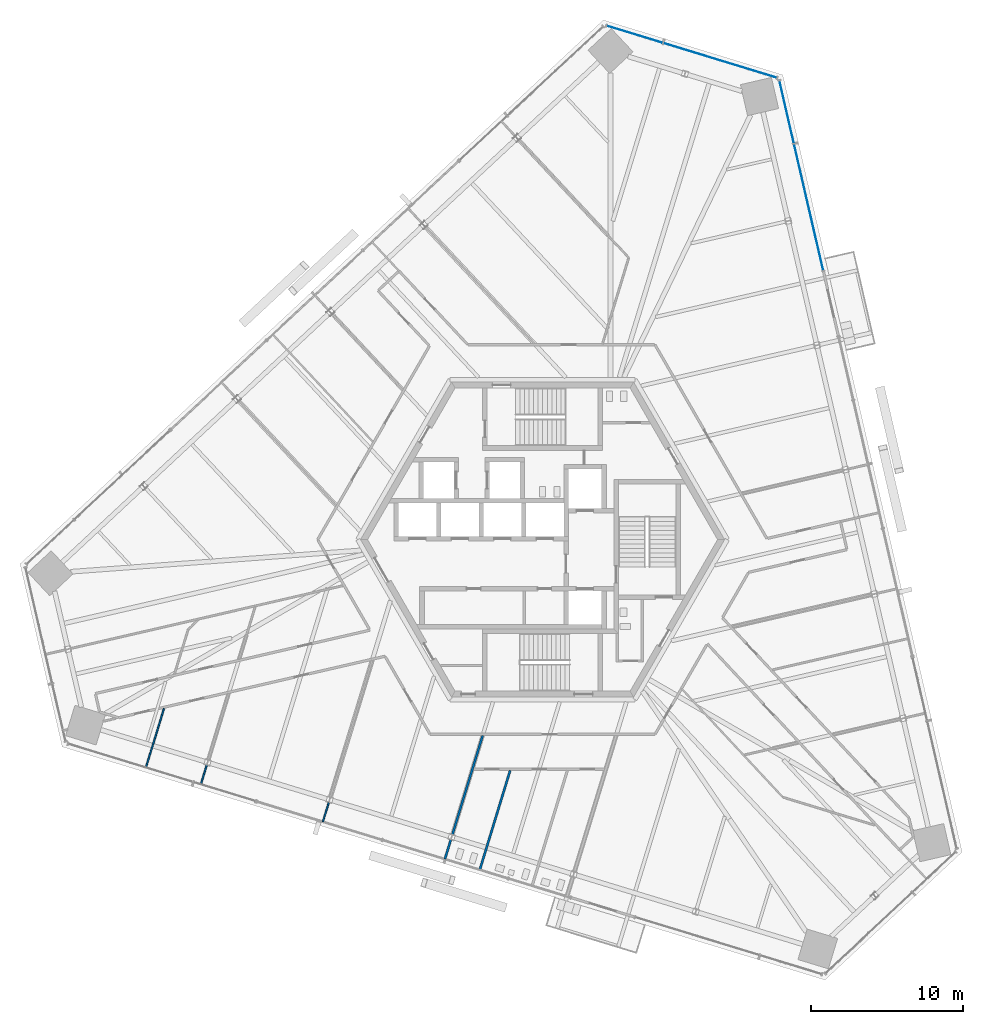
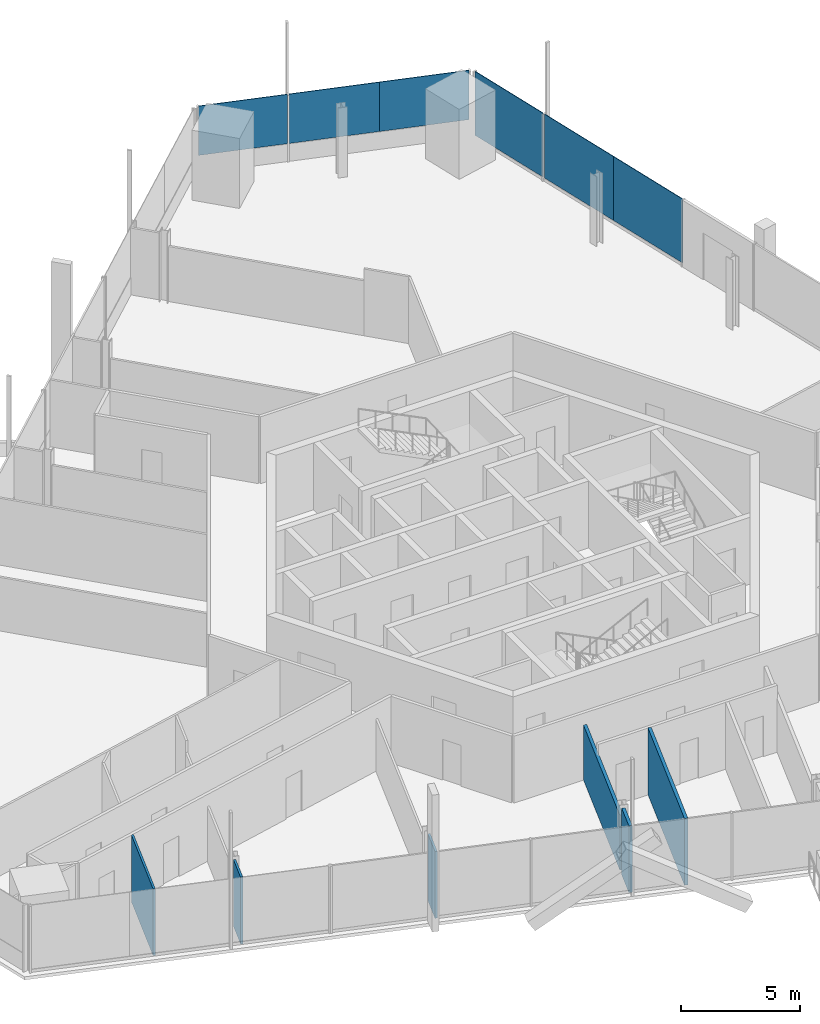
# One storey, part 12 of 24: 6 plates, 6 walls, 2 elements without a shape of their own.
"""IFC4 building model written with IfcOpenShell, lengths in metres."""

from ifc_helpers import new_model, si_unit, direction, frame, frame_2d, origin, origin_2d, place, context, subcontext, project, spatial, rectangle, extrude, source, transform, mapped, material, layer, layer_set, type_object, element, aggregate, save


model = new_model("IFC4")

# Units and contexts
model_context = context("Model", 3, precision=1e-05, world=origin(), true_north=direction((0.0, 1.0)))
body_context = subcontext(model_context, "Body", "Model", "MODEL_VIEW")
ifc_project = project(units=[si_unit("LENGTHUNIT", "METRE"), si_unit("AREAUNIT", "SQUARE_METRE"), si_unit("VOLUMEUNIT", "CUBIC_METRE"), si_unit("PLANEANGLEUNIT", "RADIAN"), si_unit("MASSUNIT", "GRAM", prefix="KILO")], contexts=[model_context])

# Site, building, storey
site_placement = place(None, origin())
site = spatial("IfcSite", under=ifc_project, at=site_placement, CompositionType="ELEMENT")
building_placement = place(site_placement, origin())
building = spatial("IfcBuilding", under=site, at=building_placement, Name="Triune Harvest Tower", CompositionType="ELEMENT")
storey_placement = place(building_placement, frame((0.0, 0.0, 112.699951171875)))
storey = spatial("IfcBuildingStorey", under=building, at=storey_placement, Name="L28", CompositionType="ELEMENT", Elevation=112.699951171875)

# Curtain wall, plates
ifc_material_1 = material(Name="Aluminium bronze anodised", Category="aluminium")
curtain_wall_type_1 = type_object("IfcCurtainWallType", Name="CW-1 Tower stick curtain wall", PredefinedType="NOTDEFINED", material=ifc_material_1)
curtain_wall_1_placement = place(storey_placement, origin())
curtain_wall_1 = element("IfcCurtainWall", 1, at=curtain_wall_1_placement, inside=storey, type_object=curtain_wall_type_1, Name="CW-1 B3-F2 L28 run 1")
ifc_material_2 = material(Name="Glass", Category="glass")
ifc_layer_1 = layer(ifc_material_2, 0.031982421875)
ifc_layer_set_1 = layer_set([ifc_layer_1], Name="Glass")
plate_type_1 = type_object("IfcPlateType", Name="GL-1 panel 32", PredefinedType="CURTAIN_PANEL", material=ifc_layer_set_1)
shared_shape_1 = source(origin(), body_context, "Body", "SweptSolid", [
    extrude(rectangle(XDim=3.8740234375, YDim=0.031982421875, at=origin_2d()), origin(), (0.0, 0.0, 1.0), 2.5400390625),
])
plate_1_placement = place(storey_placement, frame((13.573974609375, 31.01953125, 0.900146484375), z_axis=(0.0, 0.0, 1.0), x_axis=(-0.956303148607, 0.292376962095, 0.0)))
plate_1 = element("IfcPlate", 2, at=plate_1_placement, type_object=plate_type_1, Name="CW-1 panel B3-F2 1.1", PredefinedType="CURTAIN_PANEL", context=body_context, shape_type="MappedRepresentation", body=[
    mapped(shared_shape_1, transform((0.0, 0.0, 0.0), scale=1.0)),
])
shared_shape_2 = source(origin(), body_context, "Body", "SweptSolid", [
    extrude(rectangle(XDim=3.911376953125, YDim=0.031982421875, at=origin_2d()), origin(), (0.0, 0.0, 1.0), 2.5400390625),
])
plate_2_placement = place(storey_placement, frame((9.851318359375, 32.15771484375, 0.900146484375), z_axis=(0.0, 0.0, 1.0), x_axis=(-0.956303148607, 0.292376962095, 0.0)))
plate_2 = element("IfcPlate", 3, at=plate_2_placement, type_object=plate_type_1, Name="CW-1 panel B3-F2 1.2", PredefinedType="CURTAIN_PANEL", context=body_context, shape_type="MappedRepresentation", body=[
    mapped(shared_shape_2, transform((0.0, 0.0, 0.0), scale=1.0)),
])
shared_shape_3 = source(origin(), body_context, "Body", "SweptSolid", [
    extrude(rectangle(XDim=3.83642578125, YDim=0.031982421875, at=origin_2d()), origin(), (0.0, 0.0, 1.0), 2.5400390625),
])
plate_3_placement = place(storey_placement, frame((6.07470703125, 33.312255859375, 0.900146484375), z_axis=(0.0, 0.0, 1.0), x_axis=(-0.956303148607, 0.292376962095, 0.0)))
plate_3 = element("IfcPlate", 4, at=plate_3_placement, type_object=plate_type_1, Name="CW-1 panel B3-F2 1.3", PredefinedType="CURTAIN_PANEL", context=body_context, shape_type="MappedRepresentation", body=[
    mapped(shared_shape_3, transform((0.0, 0.0, 0.0), scale=1.0)),
])
aggregate(curtain_wall_1, [plate_1, plate_2, plate_3])

ifc_material_3 = material(Name="Aluminium bronze anodised", Category="aluminium")
curtain_wall_type_2 = type_object("IfcCurtainWallType", Name="CW-6 Balcony window wall", PredefinedType="NOTDEFINED", material=ifc_material_3)
curtain_wall_2_placement = place(storey_placement, origin())
curtain_wall_2 = element("IfcCurtainWall", 5, at=curtain_wall_2_placement, inside=storey, type_object=curtain_wall_type_2, Name="CW-6 B3-F1 L28 run 2")
ifc_material_4 = material(Name="Glass", Category="glass")
ifc_layer_2 = layer(ifc_material_4, 0.030029296875)
ifc_layer_set_2 = layer_set([ifc_layer_2], Name="Glass")
plate_type_2 = type_object("IfcPlateType", Name="GL-6 panel 30", PredefinedType="CURTAIN_PANEL", material=ifc_layer_set_2)
shared_shape_4 = source(origin(), body_context, "Body", "SweptSolid", [
    extrude(rectangle(XDim=4.248291015625, YDim=0.030029296875, at=origin_2d()), origin(), (0.0, 0.0, 1.0), 3.2900390625),
])
plate_4_placement = place(storey_placement, frame((18.027099609375, 19.822509765625, 0.150146484375), z_axis=(0.0, 0.0, 1.0), x_axis=(-0.22495121687, 0.974370027263, 0.0)))
plate_4 = element("IfcPlate", 6, at=plate_4_placement, type_object=plate_type_2, Name="CW-6 panel B3-F1 2.1", PredefinedType="CURTAIN_PANEL", context=body_context, shape_type="MappedRepresentation", body=[
    mapped(shared_shape_4, transform((0.0, 0.0, 0.0), scale=1.0)),
])
shared_shape_5 = source(origin(), body_context, "Body", "SweptSolid", [
    extrude(rectangle(XDim=4.285888671875, YDim=0.030029296875, at=origin_2d()), origin(), (0.0, 0.0, 1.0), 3.2900390625),
])
plate_5_placement = place(storey_placement, frame((17.0673828125, 23.980224609375, 0.150146484375), z_axis=(0.0, 0.0, 1.0), x_axis=(-0.22495121687, 0.974370027263, 0.0)))
plate_5 = element("IfcPlate", 7, at=plate_5_placement, type_object=plate_type_2, Name="CW-6 panel B3-F1 2.2", PredefinedType="CURTAIN_PANEL", context=body_context, shape_type="MappedRepresentation", body=[
    mapped(shared_shape_5, transform((0.0, 0.0, 0.0), scale=1.0)),
])
shared_shape_6 = source(origin(), body_context, "Body", "SweptSolid", [
    extrude(rectangle(XDim=4.2109375, YDim=0.030029296875, at=origin_2d()), origin(), (0.0, 0.0, 1.0), 3.2900390625),
])
plate_6_placement = place(storey_placement, frame((16.0947265625, 28.19287109375, 0.150146484375), z_axis=(0.0, 0.0, 1.0), x_axis=(-0.22495121687, 0.974370027263, 0.0)))
plate_6 = element("IfcPlate", 8, at=plate_6_placement, type_object=plate_type_2, Name="CW-6 panel B3-F1 2.3", PredefinedType="CURTAIN_PANEL", context=body_context, shape_type="MappedRepresentation", body=[
    mapped(shared_shape_6, transform((0.0, 0.0, 0.0), scale=1.0)),
])
aggregate(curtain_wall_2, [plate_4, plate_5, plate_6])

# Walls
ifc_material_5 = material(Name="Gypsum board on steel studs", Category="steel")
ifc_layer_3 = layer(ifc_material_5, 0.14990234375)
ifc_layer_set_3 = layer_set([ifc_layer_3], Name="Gypsum board on steel studs")
wall_type_1 = type_object("IfcWallType", Name="Fire Partition 150 mm", PredefinedType="PARTITIONING", material=ifc_layer_set_3)
wall_1_placement = place(storey_placement, frame((-5.9423828125, -19.43701171875, 0.0), z_axis=(0.0, 0.0, 1.0), x_axis=(0.292348661629, 0.95631180064, 0.0)))
element("IfcWall", 9, at=wall_1_placement, inside=storey, type_object=wall_type_1, Name="Partition L28 056", PredefinedType="PARTITIONING", context=body_context, shape_type="SweptSolid", body=[
    extrude(rectangle(XDim=6.816162109375, YDim=0.14990234375, at=frame_2d((3.408203125, 0.0))), origin(), (0.0, 0.0, 1.0), 2.827880859375),
])
ifc_material_6 = material(Name="Gypsum board on steel studs", Category="steel")
ifc_layer_4 = layer(ifc_material_6, 0.10009765625)
ifc_layer_set_4 = layer_set([ifc_layer_4], Name="Gypsum board on steel studs")
wall_type_2 = type_object("IfcWallType", Name="Partition 100 mm", PredefinedType="PARTITIONING", material=ifc_layer_set_4)
wall_2_placement = place(storey_placement, frame((-26.15380859375, -15.034423828125, 0.0), z_axis=(0.0, 0.0, 1.0), x_axis=(0.292360025681, 0.956308326526, 0.0)))
element("IfcWall", 10, at=wall_2_placement, inside=storey, type_object=wall_type_2, Name="Partition L28 063", PredefinedType="PARTITIONING", context=body_context, shape_type="SweptSolid", body=[
    extrude(rectangle(XDim=4.076904296875, YDim=0.10009765625, at=frame_2d((2.03857421875, 0.0))), origin(), (0.0, 0.0, 1.0), 3.43994140625),
])
shared_shape_7 = source(origin(), body_context, "Body", "SweptSolid", [
    extrude(rectangle(XDim=1.338134765625, YDim=0.10009765625, at=frame_2d((0.6689453125, 0.0))), origin(), (0.0, 0.0, 1.0), 3.43994140625),
])
wall_3_placement = place(storey_placement, frame((-22.53271484375, -16.1416015625, 0.0), z_axis=(0.0, 0.0, 1.0), x_axis=(0.29226488494, 0.956337407525, 0.0)))
element("IfcWall", 11, at=wall_3_placement, inside=storey, type_object=wall_type_2, Name="Partition L28 060", PredefinedType="PARTITIONING", context=body_context, shape_type="MappedRepresentation", body=[
    mapped(shared_shape_7, transform((0.0, 0.0, 0.0), scale=1.0)),
])
shared_shape_8 = source(origin(), body_context, "Body", "SweptSolid", [
    extrude(rectangle(XDim=1.33837890625, YDim=0.10009765625, at=frame_2d((0.669189453125, 0.0))), origin(), (0.0, 0.0, 1.0), 3.43994140625),
])
wall_4_placement = place(storey_placement, frame((-14.486083984375, -18.601806640625, 0.0), z_axis=(0.0, 0.0, 1.0), x_axis=(0.292431725513, 0.956286403706, 0.0)))
element("IfcWall", 12, at=wall_4_placement, inside=storey, type_object=wall_type_2, Name="Partition L28 058", PredefinedType="PARTITIONING", context=body_context, shape_type="MappedRepresentation", body=[
    mapped(shared_shape_8, transform((0.0, 0.0, 0.0), scale=1.0)),
])
shared_shape_9 = source(origin(), body_context, "Body", "SweptSolid", [
    extrude(rectangle(XDim=6.845458984375, YDim=0.14990234375, at=frame_2d((3.4228515625, 0.0))), origin(), (0.0, 0.0, 1.0), 3.43994140625),
])
wall_5_placement = place(storey_placement, frame((-4.138671875, -21.76513671875, 0.0), z_axis=(0.0, 0.0, 1.0), x_axis=(0.292376189619, 0.956303384781, 0.0)))
element("IfcWall", 13, at=wall_5_placement, inside=storey, type_object=wall_type_1, Name="Partition L28 054", PredefinedType="PARTITIONING", context=body_context, shape_type="MappedRepresentation", body=[
    mapped(shared_shape_9, transform((0.0, 0.0, 0.0), scale=1.0)),
])
shared_shape_10 = source(origin(), body_context, "Body", "SweptSolid", [
    extrude(rectangle(XDim=1.338134765625, YDim=0.14990234375, at=frame_2d((0.6689453125, 0.0))), origin(), (0.0, 0.0, 1.0), 3.43994140625),
])
wall_6_placement = place(storey_placement, frame((-6.439208984375, -21.061767578125, 0.0), z_axis=(0.0, 0.0, 1.0), x_axis=(0.29226488494, 0.956337407525, 0.0)))
element("IfcWall", 14, at=wall_6_placement, inside=storey, type_object=wall_type_1, Name="Partition L28 055", PredefinedType="PARTITIONING", context=body_context, shape_type="MappedRepresentation", body=[
    mapped(shared_shape_10, transform((0.0, 0.0, 0.0), scale=1.0)),
])

save(model, "model.ifc")
